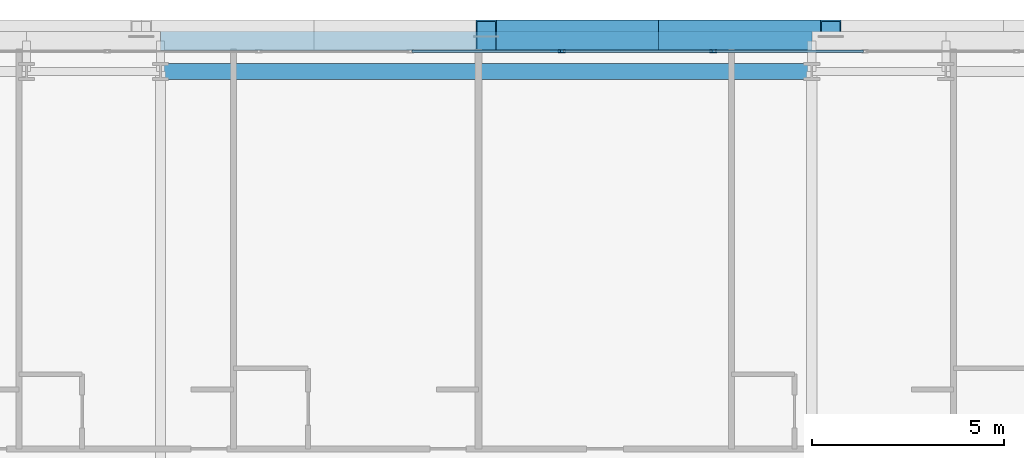
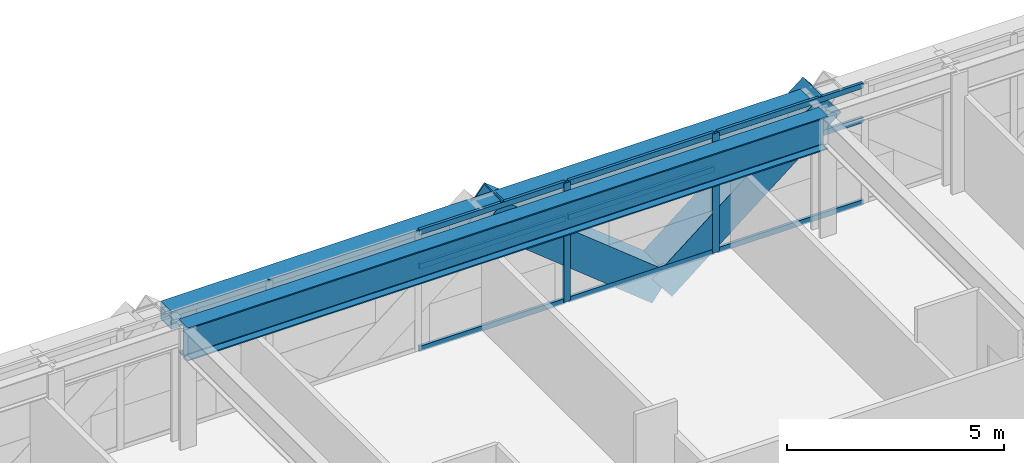
# One storey, part 19 of 38: 13 members, 2 beams, 1 element without a shape of its own.
"""IFC4 building model written with IfcOpenShell, lengths in metres."""

from ifc_helpers import new_model, si_unit, direction, frame, origin, origin_2d, place, context, subcontext, project, spatial, hollow_rectangle, i_section, extrude, source, transform, mapped, material, layer, layer_set, material_profile, profile_set, type_object, element, aggregate, save


model = new_model("IFC4")

# Units and contexts
model_context = context("Model", 3, precision=1e-05, world=origin(), true_north=direction((0.0, 1.0)))
body_context = subcontext(model_context, "Body", "Model", "MODEL_VIEW")
ifc_project = project(units=[si_unit("LENGTHUNIT", "METRE"), si_unit("AREAUNIT", "SQUARE_METRE"), si_unit("VOLUMEUNIT", "CUBIC_METRE"), si_unit("PLANEANGLEUNIT", "RADIAN"), si_unit("MASSUNIT", "GRAM", prefix="KILO")], contexts=[model_context])

# Site, building, storey
site_placement = place(None, origin())
site = spatial("IfcSite", under=ifc_project, at=site_placement, CompositionType="ELEMENT")
building_placement = place(site_placement, origin())
building = spatial("IfcBuilding", under=site, at=building_placement, Name="Ocotamira Hotel", CompositionType="ELEMENT")
storey_placement = place(building_placement, frame((0.0, 0.0, 45.60009765625)))
storey = spatial("IfcBuildingStorey", under=building, at=storey_placement, Name="L10", CompositionType="ELEMENT", Elevation=45.60009765625)

# Beams
ifc_material_1 = material(Name="Steel ASTM A992 Grade 50", Category="steel")
ifc_material_profile_1 = material_profile(ifc_material_1, i_section(OverallWidth=0.41796875, OverallDepth=0.927001953125, WebThickness=0.019287109375, FlangeThickness=0.031982421875, FilletRadius=0.02392578125, at=origin_2d()), Name="W36X231")
ifc_profile_set_1 = profile_set([ifc_material_profile_1], Name="Steel ASTM A992 Grade 50")
beam_type_1 = type_object("IfcBeamType", Name="BM-GIRD-W36X231", PredefinedType="BEAM", material=ifc_profile_set_1)
shared_shape_1 = source(origin(), body_context, "Body", "SweptSolid", [
    extrude(i_section(OverallWidth=0.41796875, OverallDepth=0.927001953125, WebThickness=0.019287109375, FlangeThickness=0.031982421875, FilletRadius=0.02392578125, at=origin_2d()), origin(), (0.0, 0.0, 1.0), 17.0),
])
beam_1_placement = place(storey_placement, frame((23.5, 49.050048828125, 2.886474609375), z_axis=(1.0, 0.0, 0.0), x_axis=(0.0, 1.0, 0.0)))
element("IfcBeam", 1, at=beam_1_placement, inside=storey, type_object=beam_type_1, Name="L10 Girder Y49.05 X23.5-40.5", PredefinedType="BEAM", context=body_context, shape_type="MappedRepresentation", body=[
    mapped(shared_shape_1, transform((0.0, 0.0, 0.0), scale=1.0)),
])
ifc_material_2 = material(Name="Steel ASTM A500 Grade C", Category="steel")
ifc_material_profile_2 = material_profile(ifc_material_2, hollow_rectangle(XDim=0.5, YDim=0.5, WallThickness=0.02001953125, at=origin_2d()), Name="HSS500X500X20")
ifc_profile_set_2 = profile_set([ifc_material_profile_2], Name="Steel ASTM A500 Grade C")
beam_type_2 = type_object("IfcBeamType", Name="BM-SPAN-HSS500", PredefinedType="USERDEFINED", material=ifc_profile_set_2)
shared_shape_2 = source(origin(), body_context, "Body", "SweptSolid", [
    extrude(hollow_rectangle(XDim=0.5, YDim=0.5, WallThickness=0.02001953125, at=origin_2d()), origin(), (0.0, 0.0, 1.0), 17.0),
])
beam_2_placement = place(storey_placement, frame((23.5, 49.85009765625, 3.099853515625), z_axis=(1.0, 0.0, 0.0), x_axis=(0.0, 1.0, 0.0)))
element("IfcBeam", 2, at=beam_2_placement, inside=storey, type_object=beam_type_2, Name="L10 Edge Spandrel N X23.5-40.5", ObjectType="SPANDREL", PredefinedType="USERDEFINED", context=body_context, shape_type="MappedRepresentation", body=[
    mapped(shared_shape_2, transform((0.0, 0.0, 0.0), scale=1.0)),
])

# Members
ifc_material_3 = material(Name="Pale-metal coated steel ASTM A913 Grade 65", Category="steel")
ifc_material_profile_3 = material_profile(ifc_material_3, hollow_rectangle(XDim=0.85009765625, YDim=0.85009765625, WallThickness=0.035888671875, at=origin_2d()), Name="BOX850X850X36")
ifc_profile_set_3 = profile_set([ifc_material_profile_3], Name="Pale-metal coated steel ASTM A913 Grade 65")
member_type_1 = type_object("IfcMemberType", Name="MEM-EXO-BOX850", PredefinedType="BRACE", material=ifc_profile_set_3)
shared_shape_3 = source(origin(), body_context, "Body", "SweptSolid", [
    extrude(hollow_rectangle(XDim=0.85009765625, YDim=0.85009765625, WallThickness=0.035888671875, at=origin_2d()), origin(), (0.0, 0.0, 1.0), 5.7626953125),
])
for number, where, z_axis, x_axis, name in (
    (3, (36.5, 49.969970703125, -0.5), (-0.780881208953, 0.0, 0.624679547852), (0.0, -1.0, 0.0), "L10 Exoskeleton Diagrid N2.1"),
    (4, (36.5, 49.969970703125, -0.5), (0.780881208953, 0.0, 0.624679547852), (0.0, 1.0, 0.0), "L10 Exoskeleton Diagrid N2.2"),
):
    element("IfcMember", number, at=place(storey_placement, frame(where, z_axis=z_axis, x_axis=x_axis)), inside=storey, type_object=member_type_1, Name=name, PredefinedType="BRACE", context=body_context, shape_type="MappedRepresentation", body=[
        mapped(shared_shape_3, transform((0.0, 0.0, 0.0), scale=1.0)),
    ])

# Curtain wall, members
ifc_material_4 = material(Name="Anodised pale-metal aluminium and solar glass", Category="aluminium")
ifc_layer = layer(ifc_material_4, 0.179931640625)
ifc_layer_set = layer_set([ifc_layer], Name="Anodised pale-metal aluminium and solar glass")
curtain_wall_type = type_object("IfcCurtainWallType", Name="CW-SYS2-Z1", PredefinedType="NOTDEFINED", material=ifc_layer_set)
curtain_wall_placement = place(storey_placement, origin())
curtain_wall = element("IfcCurtainWall", 5, at=curtain_wall_placement, inside=storey, type_object=curtain_wall_type, Name="L10 Curtain Wall CW-2 CW-L10-N", PredefinedType="NOTDEFINED")
ifc_material_5 = material(Name="Anodised pale-metal aluminium 6063-T6", Category="aluminium")
ifc_material_profile_4 = material_profile(ifc_material_5, hollow_rectangle(XDim=0.080078125, YDim=0.179931640625, WallThickness=0.006103515625, at=origin_2d()), Name="HSS180X80X6")
ifc_profile_set_4 = profile_set([ifc_material_profile_4], Name="Anodised pale-metal aluminium 6063-T6")
member_type_2 = type_object("IfcMemberType", Name="CWM-180X75", PredefinedType="MULLION", material=ifc_profile_set_4)
shared_shape_4 = source(origin(), body_context, "Body", "SweptSolid", [
    extrude(hollow_rectangle(XDim=0.080078125, YDim=0.179931640625, WallThickness=0.006103515625, at=origin_2d()), origin(), (0.0, 0.0, 1.0), 3.349853515625),
])
member_1_placement = place(storey_placement, frame((33.977783203125, 49.580078125, 0.0), z_axis=(0.0, 0.0, 1.0), x_axis=(0.0, 1.0, 0.0)))
member_1 = element("IfcMember", 6, at=member_1_placement, type_object=member_type_2, Name="CW-2 mullion 6", PredefinedType="MULLION", context=body_context, shape_type="MappedRepresentation", body=[
    mapped(shared_shape_4, transform((0.0, 0.0, 0.0), scale=1.0)),
])
member_2_placement = place(storey_placement, frame((37.933349609375, 49.580078125, 0.0), z_axis=(0.0, 0.0, 1.0), x_axis=(0.0, 1.0, 0.0)))
member_2 = element("IfcMember", 7, at=member_2_placement, type_object=member_type_2, Name="CW-2 mullion 7", PredefinedType="MULLION", context=body_context, shape_type="MappedRepresentation", body=[
    mapped(shared_shape_4, transform((0.0, 0.0, 0.0), scale=1.0)),
])
ifc_material_profile_5 = material_profile(ifc_material_5, hollow_rectangle(XDim=0.074951171875, YDim=0.14990234375, WallThickness=0.006103515625, at=origin_2d()), Name="HSS150X75X6")
ifc_profile_set_5 = profile_set([ifc_material_profile_5], Name="Anodised pale-metal aluminium 6063-T6")
member_type_3 = type_object("IfcMemberType", Name="CWT-150X75", PredefinedType="USERDEFINED", material=ifc_profile_set_5)
shared_shape_5 = source(origin(), body_context, "Body", "SweptSolid", [
    extrude(hollow_rectangle(XDim=0.074951171875, YDim=0.14990234375, WallThickness=0.006103515625, at=origin_2d()), origin(), (0.0, 0.0, 1.0), 3.87548828125),
])
member_3_placement = place(storey_placement, frame((30.062255859375, 49.580078125, 0.037353515625), z_axis=(1.0, 0.0, 0.0), x_axis=(0.0, 1.0, 0.0)))
member_3 = element("IfcMember", 8, at=member_3_placement, type_object=member_type_3, Name="CW-2 transom 5.1", ObjectType="TRANSOM", PredefinedType="USERDEFINED", context=body_context, shape_type="MappedRepresentation", body=[
    mapped(shared_shape_5, transform((0.0, 0.0, 0.0), scale=1.0)),
])
member_4_placement = place(storey_placement, frame((30.062255859375, 49.580078125, 2.349853515625), z_axis=(1.0, 0.0, 0.0), x_axis=(0.0, 1.0, 0.0)))
member_4 = element("IfcMember", 9, at=member_4_placement, type_object=member_type_3, Name="CW-2 transom 5.2", ObjectType="TRANSOM", PredefinedType="USERDEFINED", context=body_context, shape_type="MappedRepresentation", body=[
    mapped(shared_shape_5, transform((0.0, 0.0, 0.0), scale=1.0)),
])
member_5_placement = place(storey_placement, frame((30.062255859375, 49.580078125, 3.3125), z_axis=(1.0, 0.0, 0.0), x_axis=(0.0, 1.0, 0.0)))
member_5 = element("IfcMember", 10, at=member_5_placement, type_object=member_type_3, Name="CW-2 transom 5.3", ObjectType="TRANSOM", PredefinedType="USERDEFINED", context=body_context, shape_type="MappedRepresentation", body=[
    mapped(shared_shape_5, transform((0.0, 0.0, 0.0), scale=1.0)),
])
member_6_placement = place(storey_placement, frame((34.017822265625, 49.580078125, 0.037353515625), z_axis=(1.0, 0.0, 0.0), x_axis=(0.0, 1.0, 0.0)))
member_6 = element("IfcMember", 11, at=member_6_placement, type_object=member_type_3, Name="CW-2 transom 6.1", ObjectType="TRANSOM", PredefinedType="USERDEFINED", context=body_context, shape_type="MappedRepresentation", body=[
    mapped(shared_shape_5, transform((0.0, 0.0, 0.0), scale=1.0)),
])
member_7_placement = place(storey_placement, frame((34.017822265625, 49.580078125, 2.349853515625), z_axis=(1.0, 0.0, 0.0), x_axis=(0.0, 1.0, 0.0)))
member_7 = element("IfcMember", 12, at=member_7_placement, type_object=member_type_3, Name="CW-2 transom 6.2", ObjectType="TRANSOM", PredefinedType="USERDEFINED", context=body_context, shape_type="MappedRepresentation", body=[
    mapped(shared_shape_5, transform((0.0, 0.0, 0.0), scale=1.0)),
])
member_8_placement = place(storey_placement, frame((34.017822265625, 49.580078125, 3.3125), z_axis=(1.0, 0.0, 0.0), x_axis=(0.0, 1.0, 0.0)))
member_8 = element("IfcMember", 13, at=member_8_placement, type_object=member_type_3, Name="CW-2 transom 6.3", ObjectType="TRANSOM", PredefinedType="USERDEFINED", context=body_context, shape_type="MappedRepresentation", body=[
    mapped(shared_shape_5, transform((0.0, 0.0, 0.0), scale=1.0)),
])
member_9_placement = place(storey_placement, frame((37.973388671875, 49.580078125, 0.037353515625), z_axis=(1.0, 0.0, 0.0), x_axis=(0.0, 1.0, 0.0)))
member_9 = element("IfcMember", 14, at=member_9_placement, type_object=member_type_3, Name="CW-2 transom 7.1", ObjectType="TRANSOM", PredefinedType="USERDEFINED", context=body_context, shape_type="MappedRepresentation", body=[
    mapped(shared_shape_5, transform((0.0, 0.0, 0.0), scale=1.0)),
])
member_10_placement = place(storey_placement, frame((37.973388671875, 49.580078125, 2.349853515625), z_axis=(1.0, 0.0, 0.0), x_axis=(0.0, 1.0, 0.0)))
member_10 = element("IfcMember", 15, at=member_10_placement, type_object=member_type_3, Name="CW-2 transom 7.2", ObjectType="TRANSOM", PredefinedType="USERDEFINED", context=body_context, shape_type="MappedRepresentation", body=[
    mapped(shared_shape_5, transform((0.0, 0.0, 0.0), scale=1.0)),
])
member_11_placement = place(storey_placement, frame((37.973388671875, 49.580078125, 3.3125), z_axis=(1.0, 0.0, 0.0), x_axis=(0.0, 1.0, 0.0)))
member_11 = element("IfcMember", 16, at=member_11_placement, type_object=member_type_3, Name="CW-2 transom 7.3", ObjectType="TRANSOM", PredefinedType="USERDEFINED", context=body_context, shape_type="MappedRepresentation", body=[
    mapped(shared_shape_5, transform((0.0, 0.0, 0.0), scale=1.0)),
])
aggregate(curtain_wall, [member_1, member_2, member_3, member_4, member_5, member_6, member_7, member_8, member_9, member_10, member_11])

save(model, "model.ifc")
